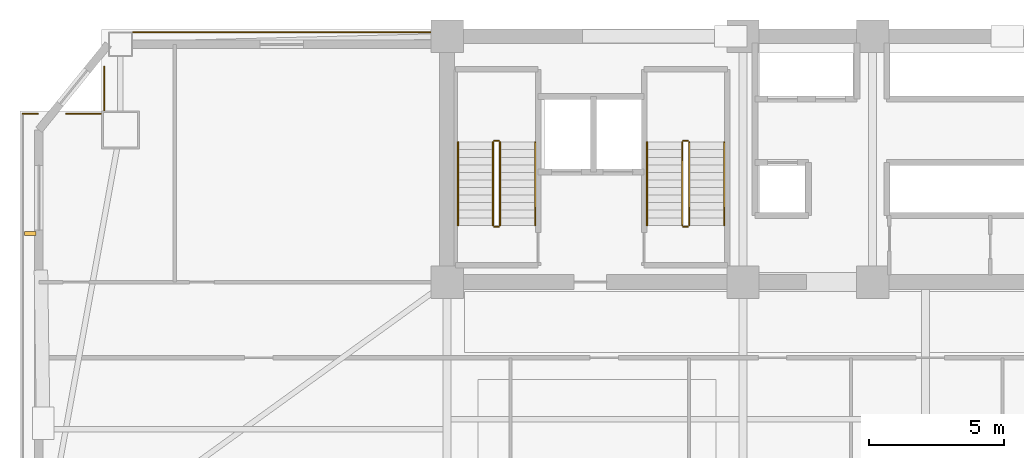
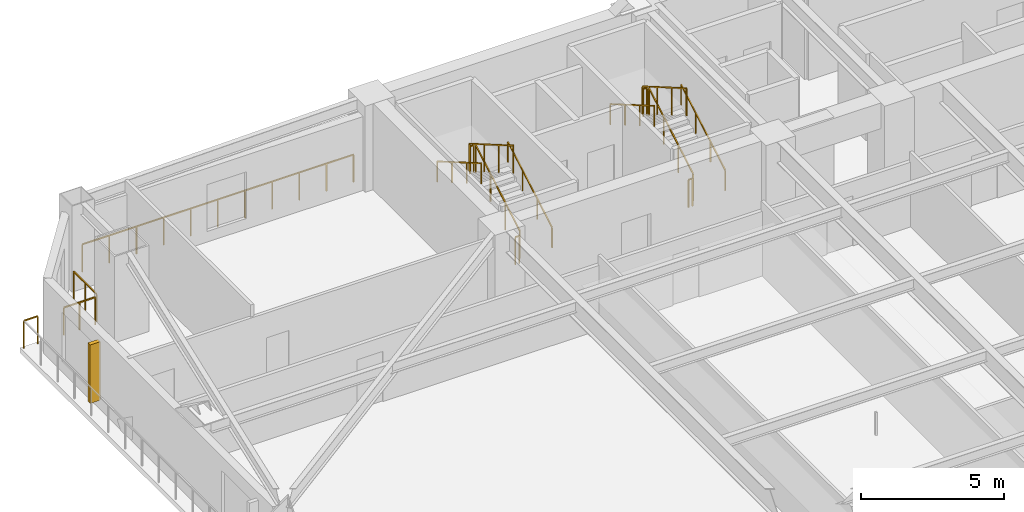
# One storey, part 14 of 15: 16 railings, 1 shading device.
"""IFC4 building model written with IfcOpenShell, lengths in metres."""

from ifc_helpers import new_model, si_unit, direction, frame, origin, origin_2d, place, context, subcontext, project, spatial, rectangle, extrude, source, transform, mapped, material, type_object, element, save


model = new_model("IFC4")

# Units and contexts
model_context = context("Model", 3, precision=1e-05, world=origin(), true_north=direction((0.0, 1.0)))
body_context = subcontext(model_context, "Body", "Model", "MODEL_VIEW")
ifc_project = project(units=[si_unit("LENGTHUNIT", "METRE"), si_unit("AREAUNIT", "SQUARE_METRE"), si_unit("VOLUMEUNIT", "CUBIC_METRE"), si_unit("PLANEANGLEUNIT", "RADIAN"), si_unit("MASSUNIT", "GRAM", prefix="KILO")], contexts=[model_context])

# Site, building, storey
site_placement = place(None, origin())
site = spatial("IfcSite", under=ifc_project, at=site_placement, CompositionType="ELEMENT")
building_placement = place(site_placement, origin())
building = spatial("IfcBuilding", under=site, at=building_placement, Name="Giltprow Tower", CompositionType="ELEMENT")
storey_placement = place(building_placement, frame((0.0, 0.0, 115.300048828125)))
storey = spatial("IfcBuildingStorey", under=building, at=storey_placement, Name="L28", CompositionType="ELEMENT", Elevation=115.300048828125)

# Railings
ifc_material = material(Name="Anodized bronze", Category="metal")
railing_type_1 = type_object("IfcRailingType", Name="RAIL-BALC-GUARD-1200", PredefinedType="BALUSTRADE", material=ifc_material)
railing_1_placement = place(storey_placement, frame((4.14404296875, 43.68310546875, 0.0)))
element("IfcRailing", 1, at=railing_1_placement, inside=storey, type_object=railing_type_1, Name="L28 Corner Apron Edge Balustrade 6", PredefinedType="BALUSTRADE", context=body_context, shape_type="SweptSolid", body=[
    extrude(rectangle(XDim=0.048095703125, YDim=0.048095703125, at=origin_2d()), frame((0.0, 0.0, 1.17578125), z_axis=(1.0, 0.0, 0.0), x_axis=(0.0, 1.0, 0.0)), (0.0, 0.0, 1.0), 0.558837890625),
    extrude(rectangle(XDim=0.0419921875, YDim=0.0419921875, at=origin_2d()), origin(), (0.0, 0.0, 1.0), 1.15185546875),
    extrude(rectangle(XDim=0.0419921875, YDim=0.0419921875, at=origin_2d()), frame((0.558837890625, 0.0, 0.0)), (0.0, 0.0, 1.0), 1.15185546875),
])
railing_2_placement = place(storey_placement, frame((5.758056640625, 43.68310546875, 0.0)))
element("IfcRailing", 2, at=railing_2_placement, inside=storey, type_object=railing_type_1, Name="L28 Corner Apron Edge Balustrade 7", PredefinedType="BALUSTRADE", context=body_context, shape_type="SweptSolid", body=[
    extrude(rectangle(XDim=0.048095703125, YDim=0.048095703125, at=origin_2d()), frame((0.0, 0.0, 1.17578125), z_axis=(1.0, 0.0, 0.0), x_axis=(0.0, 1.0, 0.0)), (0.0, 0.0, 1.0), 1.267822265625),
    extrude(rectangle(XDim=0.0419921875, YDim=0.0419921875, at=origin_2d()), origin(), (0.0, 0.0, 1.0), 1.15185546875),
    extrude(rectangle(XDim=0.0419921875, YDim=0.0419921875, at=origin_2d()), frame((0.6337890625, 0.0, 0.0)), (0.0, 0.0, 1.0), 1.15185546875),
    extrude(rectangle(XDim=0.0419921875, YDim=0.0419921875, at=origin_2d()), frame((1.267822265625, 0.0, 0.0)), (0.0, 0.0, 1.0), 1.15185546875),
])
railing_3_placement = place(storey_placement, frame((7.160888671875, 43.818115234375, 0.0)))
element("IfcRailing", 3, at=railing_3_placement, inside=storey, type_object=railing_type_1, Name="L28 Corner Apron Edge Balustrade 8", PredefinedType="BALUSTRADE", context=body_context, shape_type="SweptSolid", body=[
    extrude(rectangle(XDim=0.048095703125, YDim=0.048095703125, at=origin_2d()), frame((0.0, 0.0, 1.17578125), z_axis=(0.0, 1.0, 0.0), x_axis=(-1.0, 0.0, 0.0)), (0.0, 0.0, 1.0), 1.595947265625),
    extrude(rectangle(XDim=0.0419921875, YDim=0.0419921875, at=origin_2d()), origin(), (0.0, 0.0, 1.0), 1.15185546875),
    extrude(rectangle(XDim=0.0419921875, YDim=0.0419921875, at=origin_2d()), frame((0.0, 0.7978515625, 0.0)), (0.0, 0.0, 1.0), 1.15185546875),
    extrude(rectangle(XDim=0.0419921875, YDim=0.0419921875, at=origin_2d()), frame((0.0, 1.595947265625, 0.0)), (0.0, 0.0, 1.0), 1.15185546875),
])
railing_4_placement = place(storey_placement, frame((8.24609375, 46.699951171875, 0.0)))
element("IfcRailing", 4, at=railing_4_placement, inside=storey, type_object=railing_type_1, Name="L28 Corner Apron Edge Balustrade 9", PredefinedType="BALUSTRADE", context=body_context, shape_type="SweptSolid", body=[
    extrude(rectangle(XDim=0.048095703125, YDim=0.048095703125, at=origin_2d()), frame((0.0, 0.0, 1.17578125), z_axis=(1.0, 0.0, 0.0), x_axis=(0.0, 1.0, 0.0)), (0.0, 0.0, 1.0), 10.968994140625),
    extrude(rectangle(XDim=0.0419921875, YDim=0.0419921875, at=origin_2d()), origin(), (0.0, 0.0, 1.0), 1.15185546875),
    extrude(rectangle(XDim=0.0419921875, YDim=0.0419921875, at=origin_2d()), frame((1.096923828125, 0.0, 0.0)), (0.0, 0.0, 1.0), 1.15185546875),
    extrude(rectangle(XDim=0.0419921875, YDim=0.0419921875, at=origin_2d()), frame((2.19384765625, 0.0, 0.0)), (0.0, 0.0, 1.0), 1.15185546875),
    extrude(rectangle(XDim=0.0419921875, YDim=0.0419921875, at=origin_2d()), frame((3.290771484375, 0.0, 0.0)), (0.0, 0.0, 1.0), 1.15185546875),
    extrude(rectangle(XDim=0.0419921875, YDim=0.0419921875, at=origin_2d()), frame((4.3876953125, 0.0, 0.0)), (0.0, 0.0, 1.0), 1.15185546875),
    extrude(rectangle(XDim=0.0419921875, YDim=0.0419921875, at=origin_2d()), frame((5.484375, 0.0, 0.0)), (0.0, 0.0, 1.0), 1.15185546875),
    extrude(rectangle(XDim=0.0419921875, YDim=0.0419921875, at=origin_2d()), frame((6.581298828125, 0.0, 0.0)), (0.0, 0.0, 1.0), 1.15185546875),
    extrude(rectangle(XDim=0.0419921875, YDim=0.0419921875, at=origin_2d()), frame((7.67822265625, 0.0, 0.0)), (0.0, 0.0, 1.0), 1.15185546875),
    extrude(rectangle(XDim=0.0419921875, YDim=0.0419921875, at=origin_2d()), frame((8.775146484375, 0.0, 0.0)), (0.0, 0.0, 1.0), 1.15185546875),
    extrude(rectangle(XDim=0.0419921875, YDim=0.0419921875, at=origin_2d()), frame((9.8720703125, 0.0, 0.0)), (0.0, 0.0, 1.0), 1.15185546875),
    extrude(rectangle(XDim=0.0419921875, YDim=0.0419921875, at=origin_2d()), frame((10.968994140625, 0.0, 0.0)), (0.0, 0.0, 1.0), 1.15185546875),
])
railing_type_2 = type_object("IfcRailingType", Name="RAIL-STAIR-GUARD-1200", PredefinedType="GUARDRAIL", material=ifc_material)
railing_5_placement = place(storey_placement, frame((21.81005859375, 39.550048828125, 0.162353515625)))
element("IfcRailing", 5, at=railing_5_placement, inside=storey, type_object=railing_type_2, Name="L28 ST-1 stair guard 1", PredefinedType="GUARDRAIL", context=body_context, shape_type="SweptSolid", body=[
    extrude(rectangle(XDim=0.048095703125, YDim=0.048095703125, at=origin_2d()), frame((0.0, 0.0, 1.17578125), z_axis=(0.0, 0.864873446163, 0.501989962173), x_axis=(-1.0, 0.0, 0.0)), (0.0, 0.0, 1.0), 3.56103515625),
    extrude(rectangle(XDim=0.0419921875, YDim=0.0419921875, at=origin_2d()), origin(), (0.0, 0.0, 1.0), 1.15185546875),
    extrude(rectangle(XDim=0.0419921875, YDim=0.0419921875, at=origin_2d()), frame((0.0, 1.026611328125, 0.595947265625)), (0.0, 0.0, 1.0), 1.15185546875),
    extrude(rectangle(XDim=0.0419921875, YDim=0.0419921875, at=origin_2d()), frame((0.0, 2.05322265625, 1.191650390625)), (0.0, 0.0, 1.0), 1.15185546875),
    extrude(rectangle(XDim=0.0419921875, YDim=0.0419921875, at=origin_2d()), frame((0.0, 3.079833984375, 1.78759765625)), (0.0, 0.0, 1.0), 1.15185546875),
])
railing_6_placement = place(storey_placement, frame((21.760009765625, 42.679931640625, 1.949951171875)))
element("IfcRailing", 6, at=railing_6_placement, inside=storey, type_object=railing_type_2, Name="L28 ST-1 stair guard 2", PredefinedType="GUARDRAIL", context=body_context, shape_type="SweptSolid", body=[
    extrude(rectangle(XDim=0.048095703125, YDim=0.048095703125, at=origin_2d()), frame((0.0, 0.0, 1.17578125), z_axis=(-1.0, 0.0, 0.0), x_axis=(0.0, -1.0, 0.0)), (0.0, 0.0, 1.0), 0.159912109375),
    extrude(rectangle(XDim=0.0419921875, YDim=0.0419921875, at=origin_2d()), origin(), (0.0, 0.0, 1.0), 1.15185546875),
    extrude(rectangle(XDim=0.0419921875, YDim=0.0419921875, at=origin_2d()), frame((-0.159912109375, 0.0, 0.0)), (0.0, 0.0, 1.0), 1.15185546875),
])
railing_7_placement = place(storey_placement, frame((21.550048828125, 42.6298828125, 2.112548828125)))
element("IfcRailing", 7, at=railing_7_placement, inside=storey, type_object=railing_type_2, Name="L28 ST-1 stair guard 3", PredefinedType="GUARDRAIL", context=body_context, shape_type="SweptSolid", body=[
    extrude(rectangle(XDim=0.048095703125, YDim=0.048095703125, at=origin_2d()), frame((0.0, 0.0, 1.17578125), z_axis=(0.0, -0.864903211148, 0.501938676878), x_axis=(1.0, 0.0, 0.0)), (0.0, 0.0, 1.0), 3.560791015625),
    extrude(rectangle(XDim=0.0419921875, YDim=0.0419921875, at=origin_2d()), origin(), (0.0, 0.0, 1.0), 1.15185546875),
    extrude(rectangle(XDim=0.0419921875, YDim=0.0419921875, at=origin_2d()), frame((0.0, -1.026611328125, 0.595703125)), (0.0, 0.0, 1.0), 1.15185546875),
    extrude(rectangle(XDim=0.0419921875, YDim=0.0419921875, at=origin_2d()), frame((0.0, -2.05322265625, 1.191650390625)), (0.0, 0.0, 1.0), 1.15185546875),
    extrude(rectangle(XDim=0.0419921875, YDim=0.0419921875, at=origin_2d()), frame((0.0, -3.079833984375, 1.787353515625)), (0.0, 0.0, 1.0), 1.15185546875),
])
railing_8_placement = place(storey_placement, frame((21.760009765625, 39.5, 0.0)))
element("IfcRailing", 8, at=railing_8_placement, inside=storey, type_object=railing_type_2, Name="L28 ST-1 stair guard 4", PredefinedType="GUARDRAIL", context=body_context, shape_type="SweptSolid", body=[
    extrude(rectangle(XDim=0.048095703125, YDim=0.048095703125, at=origin_2d()), frame((0.0, 0.0, 1.17578125), z_axis=(-1.0, 0.0, 0.0), x_axis=(0.0, -1.0, 0.0)), (0.0, 0.0, 1.0), 0.159912109375),
    extrude(rectangle(XDim=0.0419921875, YDim=0.0419921875, at=origin_2d()), origin(), (0.0, 0.0, 1.0), 1.15185546875),
    extrude(rectangle(XDim=0.0419921875, YDim=0.0419921875, at=origin_2d()), frame((-0.159912109375, 0.0, 0.0)), (0.0, 0.0, 1.0), 1.15185546875),
])
railing_9_placement = place(storey_placement, frame((28.81005859375, 39.550048828125, 0.162353515625)))
element("IfcRailing", 9, at=railing_9_placement, inside=storey, type_object=railing_type_2, Name="L28 ST-2 stair guard 1", PredefinedType="GUARDRAIL", context=body_context, shape_type="SweptSolid", body=[
    extrude(rectangle(XDim=0.048095703125, YDim=0.048095703125, at=origin_2d()), frame((0.0, 0.0, 1.17578125), z_axis=(0.0, 0.864873446163, 0.501989962173), x_axis=(-1.0, 0.0, 0.0)), (0.0, 0.0, 1.0), 3.56103515625),
    extrude(rectangle(XDim=0.0419921875, YDim=0.0419921875, at=origin_2d()), origin(), (0.0, 0.0, 1.0), 1.15185546875),
    extrude(rectangle(XDim=0.0419921875, YDim=0.0419921875, at=origin_2d()), frame((0.0, 1.026611328125, 0.595947265625)), (0.0, 0.0, 1.0), 1.15185546875),
    extrude(rectangle(XDim=0.0419921875, YDim=0.0419921875, at=origin_2d()), frame((0.0, 2.05322265625, 1.191650390625)), (0.0, 0.0, 1.0), 1.15185546875),
    extrude(rectangle(XDim=0.0419921875, YDim=0.0419921875, at=origin_2d()), frame((0.0, 3.079833984375, 1.78759765625)), (0.0, 0.0, 1.0), 1.15185546875),
])
railing_10_placement = place(storey_placement, frame((28.760009765625, 42.679931640625, 1.949951171875)))
element("IfcRailing", 10, at=railing_10_placement, inside=storey, type_object=railing_type_2, Name="L28 ST-2 stair guard 2", PredefinedType="GUARDRAIL", context=body_context, shape_type="SweptSolid", body=[
    extrude(rectangle(XDim=0.048095703125, YDim=0.048095703125, at=origin_2d()), frame((0.0, 0.0, 1.17578125), z_axis=(-1.0, 0.0, 0.0), x_axis=(0.0, -1.0, 0.0)), (0.0, 0.0, 1.0), 0.159912109375),
    extrude(rectangle(XDim=0.0419921875, YDim=0.0419921875, at=origin_2d()), origin(), (0.0, 0.0, 1.0), 1.15185546875),
    extrude(rectangle(XDim=0.0419921875, YDim=0.0419921875, at=origin_2d()), frame((-0.159912109375, 0.0, 0.0)), (0.0, 0.0, 1.0), 1.15185546875),
])
railing_11_placement = place(storey_placement, frame((28.550048828125, 42.6298828125, 2.112548828125)))
element("IfcRailing", 11, at=railing_11_placement, inside=storey, type_object=railing_type_2, Name="L28 ST-2 stair guard 3", PredefinedType="GUARDRAIL", context=body_context, shape_type="SweptSolid", body=[
    extrude(rectangle(XDim=0.048095703125, YDim=0.048095703125, at=origin_2d()), frame((0.0, 0.0, 1.17578125), z_axis=(0.0, -0.864903211148, 0.501938676878), x_axis=(1.0, 0.0, 0.0)), (0.0, 0.0, 1.0), 3.560791015625),
    extrude(rectangle(XDim=0.0419921875, YDim=0.0419921875, at=origin_2d()), origin(), (0.0, 0.0, 1.0), 1.15185546875),
    extrude(rectangle(XDim=0.0419921875, YDim=0.0419921875, at=origin_2d()), frame((0.0, -1.026611328125, 0.595703125)), (0.0, 0.0, 1.0), 1.15185546875),
    extrude(rectangle(XDim=0.0419921875, YDim=0.0419921875, at=origin_2d()), frame((0.0, -2.05322265625, 1.191650390625)), (0.0, 0.0, 1.0), 1.15185546875),
    extrude(rectangle(XDim=0.0419921875, YDim=0.0419921875, at=origin_2d()), frame((0.0, -3.079833984375, 1.787353515625)), (0.0, 0.0, 1.0), 1.15185546875),
])
railing_12_placement = place(storey_placement, frame((28.760009765625, 39.5, 0.0)))
element("IfcRailing", 12, at=railing_12_placement, inside=storey, type_object=railing_type_2, Name="L28 ST-2 stair guard 4", PredefinedType="GUARDRAIL", context=body_context, shape_type="SweptSolid", body=[
    extrude(rectangle(XDim=0.048095703125, YDim=0.048095703125, at=origin_2d()), frame((0.0, 0.0, 1.17578125), z_axis=(-1.0, 0.0, 0.0), x_axis=(0.0, -1.0, 0.0)), (0.0, 0.0, 1.0), 0.159912109375),
    extrude(rectangle(XDim=0.0419921875, YDim=0.0419921875, at=origin_2d()), origin(), (0.0, 0.0, 1.0), 1.15185546875),
    extrude(rectangle(XDim=0.0419921875, YDim=0.0419921875, at=origin_2d()), frame((-0.159912109375, 0.0, 0.0)), (0.0, 0.0, 1.0), 1.15185546875),
])
railing_type_3 = type_object("IfcRailingType", Name="RAIL-STAIR-HAND-900", PredefinedType="HANDRAIL", material=ifc_material)
railing_13_placement = place(storey_placement, frame((23.110107421875, 39.550048828125, 0.162353515625)))
element("IfcRailing", 13, at=railing_13_placement, inside=storey, type_object=railing_type_3, Name="L28 ST-1 stair handrail 1", PredefinedType="HANDRAIL", context=body_context, shape_type="SweptSolid", body=[
    extrude(rectangle(XDim=0.048095703125, YDim=0.048095703125, at=origin_2d()), frame((0.0, 0.0, 0.8759765625), z_axis=(0.0, 0.864873446163, 0.501989962173), x_axis=(-1.0, 0.0, 0.0)), (0.0, 0.0, 1.0), 3.56103515625),
    extrude(rectangle(XDim=0.0419921875, YDim=0.0419921875, at=origin_2d()), origin(), (0.0, 0.0, 1.0), 0.851806640625),
    extrude(rectangle(XDim=0.0419921875, YDim=0.0419921875, at=origin_2d()), frame((0.0, 1.026611328125, 0.595947265625)), (0.0, 0.0, 1.0), 0.851806640625),
    extrude(rectangle(XDim=0.0419921875, YDim=0.0419921875, at=origin_2d()), frame((0.0, 2.05322265625, 1.191650390625)), (0.0, 0.0, 1.0), 0.851806640625),
    extrude(rectangle(XDim=0.0419921875, YDim=0.0419921875, at=origin_2d()), frame((0.0, 3.079833984375, 1.78759765625)), (0.0, 0.0, 1.0), 0.851806640625),
])
railing_14_placement = place(storey_placement, frame((20.25, 42.6298828125, 2.112548828125)))
element("IfcRailing", 14, at=railing_14_placement, inside=storey, type_object=railing_type_3, Name="L28 ST-1 stair handrail 2", PredefinedType="HANDRAIL", context=body_context, shape_type="SweptSolid", body=[
    extrude(rectangle(XDim=0.048095703125, YDim=0.048095703125, at=origin_2d()), frame((0.0, 0.0, 0.8759765625), z_axis=(0.0, -0.864903211148, 0.501938676878), x_axis=(1.0, 0.0, 0.0)), (0.0, 0.0, 1.0), 3.560791015625),
    extrude(rectangle(XDim=0.0419921875, YDim=0.0419921875, at=origin_2d()), origin(), (0.0, 0.0, 1.0), 0.851806640625),
    extrude(rectangle(XDim=0.0419921875, YDim=0.0419921875, at=origin_2d()), frame((0.0, -1.026611328125, 0.595703125)), (0.0, 0.0, 1.0), 0.851806640625),
    extrude(rectangle(XDim=0.0419921875, YDim=0.0419921875, at=origin_2d()), frame((0.0, -2.05322265625, 1.191650390625)), (0.0, 0.0, 1.0), 0.851806640625),
    extrude(rectangle(XDim=0.0419921875, YDim=0.0419921875, at=origin_2d()), frame((0.0, -3.079833984375, 1.787353515625)), (0.0, 0.0, 1.0), 0.851806640625),
])
railing_15_placement = place(storey_placement, frame((30.110107421875, 39.550048828125, 0.162353515625)))
element("IfcRailing", 15, at=railing_15_placement, inside=storey, type_object=railing_type_3, Name="L28 ST-2 stair handrail 1", PredefinedType="HANDRAIL", context=body_context, shape_type="SweptSolid", body=[
    extrude(rectangle(XDim=0.048095703125, YDim=0.048095703125, at=origin_2d()), frame((0.0, 0.0, 0.8759765625), z_axis=(0.0, 0.864873446163, 0.501989962173), x_axis=(-1.0, 0.0, 0.0)), (0.0, 0.0, 1.0), 3.56103515625),
    extrude(rectangle(XDim=0.0419921875, YDim=0.0419921875, at=origin_2d()), origin(), (0.0, 0.0, 1.0), 0.851806640625),
    extrude(rectangle(XDim=0.0419921875, YDim=0.0419921875, at=origin_2d()), frame((0.0, 1.026611328125, 0.595947265625)), (0.0, 0.0, 1.0), 0.851806640625),
    extrude(rectangle(XDim=0.0419921875, YDim=0.0419921875, at=origin_2d()), frame((0.0, 2.05322265625, 1.191650390625)), (0.0, 0.0, 1.0), 0.851806640625),
    extrude(rectangle(XDim=0.0419921875, YDim=0.0419921875, at=origin_2d()), frame((0.0, 3.079833984375, 1.78759765625)), (0.0, 0.0, 1.0), 0.851806640625),
])
railing_16_placement = place(storey_placement, frame((27.25, 42.6298828125, 2.112548828125)))
element("IfcRailing", 16, at=railing_16_placement, inside=storey, type_object=railing_type_3, Name="L28 ST-2 stair handrail 2", PredefinedType="HANDRAIL", context=body_context, shape_type="SweptSolid", body=[
    extrude(rectangle(XDim=0.048095703125, YDim=0.048095703125, at=origin_2d()), frame((0.0, 0.0, 0.8759765625), z_axis=(0.0, -0.864903211148, 0.501938676878), x_axis=(1.0, 0.0, 0.0)), (0.0, 0.0, 1.0), 3.560791015625),
    extrude(rectangle(XDim=0.0419921875, YDim=0.0419921875, at=origin_2d()), origin(), (0.0, 0.0, 1.0), 0.851806640625),
    extrude(rectangle(XDim=0.0419921875, YDim=0.0419921875, at=origin_2d()), frame((0.0, -1.026611328125, 0.595703125)), (0.0, 0.0, 1.0), 0.851806640625),
    extrude(rectangle(XDim=0.0419921875, YDim=0.0419921875, at=origin_2d()), frame((0.0, -2.05322265625, 1.191650390625)), (0.0, 0.0, 1.0), 0.851806640625),
    extrude(rectangle(XDim=0.0419921875, YDim=0.0419921875, at=origin_2d()), frame((0.0, -3.079833984375, 1.787353515625)), (0.0, 0.0, 1.0), 0.851806640625),
])

# Shading device
shading_device_type = type_object("IfcShadingDeviceType", Name="SHD-FIN-420", PredefinedType="USERDEFINED", material=ifc_material)
shared_shape = source(origin(), body_context, "Body", "SweptSolid", [
    extrude(rectangle(XDim=0.419921875, YDim=0.159912109375, at=origin_2d()), origin(), (0.0, 0.0, 1.0), 2.5),
])
shading_device_placement = place(storey_placement, frame((4.424072265625, 39.25, 0.349853515625), z_axis=(0.0, 0.0, 1.0), x_axis=(1.0, 0.0, 0.0)))
element("IfcShadingDevice", 17, at=shading_device_placement, inside=storey, type_object=shading_device_type, Name="L28 W Bronze Vertical Fin 2-2", ObjectType="FIN", PredefinedType="USERDEFINED", context=body_context, shape_type="MappedRepresentation", body=[
    mapped(shared_shape, transform((0.0, 0.0, 0.0), x_axis=(1.0, 0.0, 0.0), y_axis=(0.0, 1.0, 0.0), z_axis=(0.0, 0.0, 1.0), scale=1.0)),
])

save(model, "model.ifc")
